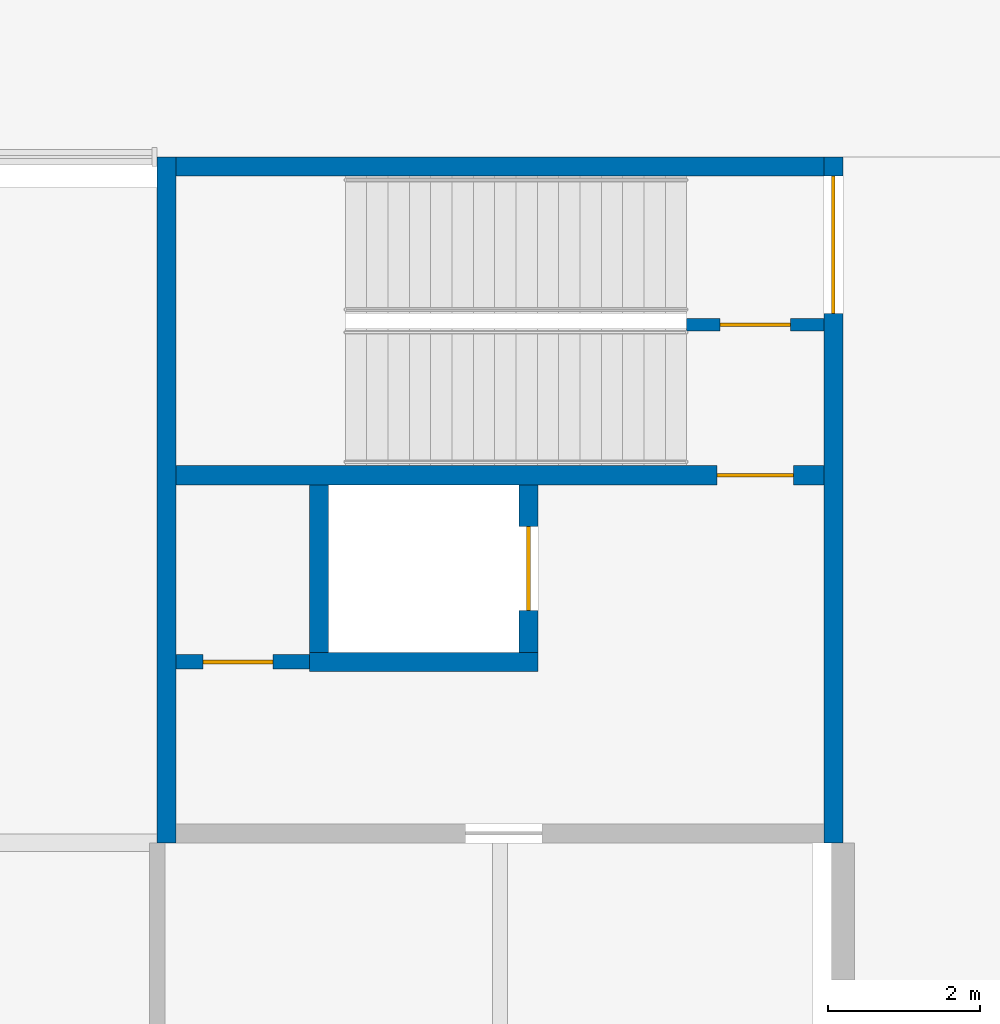
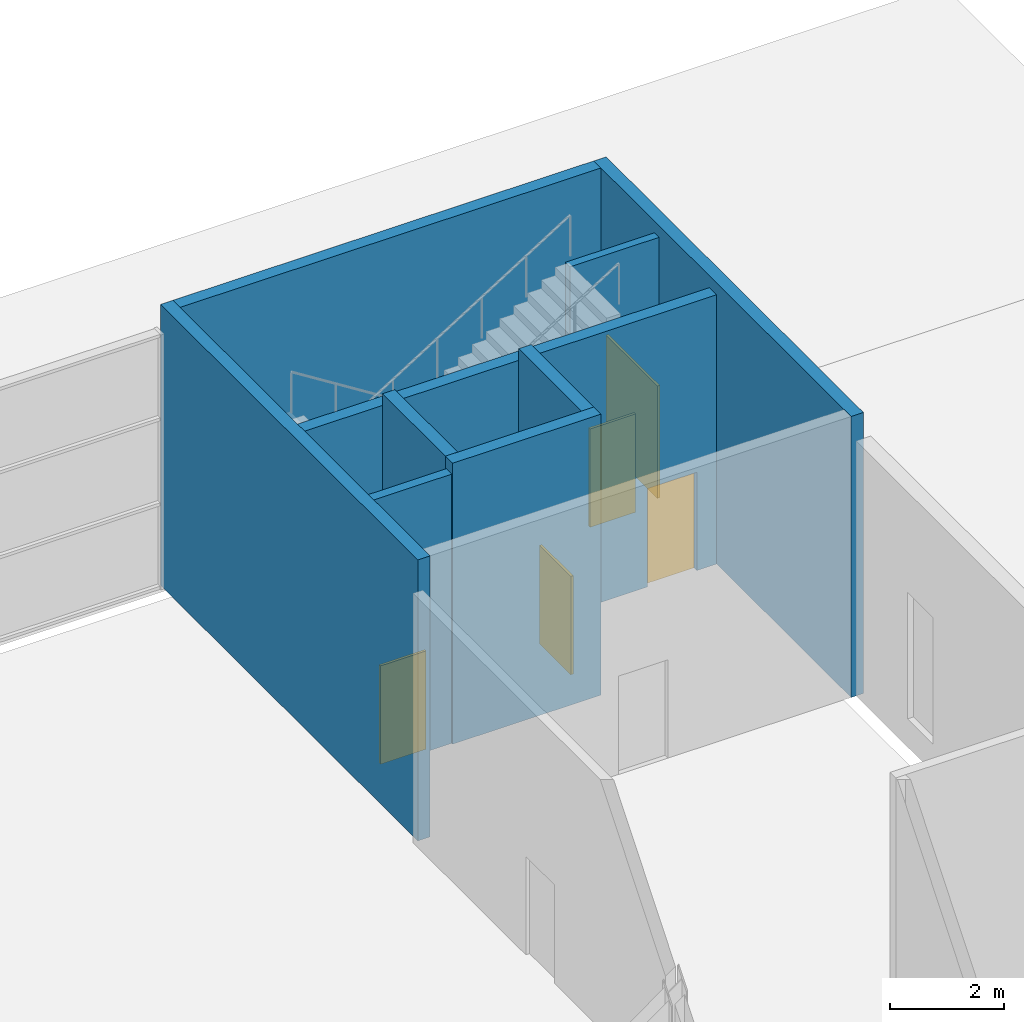
# One storey, part 80 of 97: 9 walls, 5 doors, 5 openings.
"""IFC4 building model written with IfcOpenShell, lengths in metres."""

import ifcopenshell
import ifcopenshell.guid

model = None  # the IFC model being written
_history = None  # IfcOwnerHistory: only IFC2X3 demands one
_inside = {}  # id of a spatial element -> (the spatial element, [elements in it])
_under = {}  # id of a project, library or spatial element -> (it, [spatial elements below it])
_declared = {}  # id of a project -> (the project, [libraries it declares])
_typed = {}  # id of a type object -> (the type object, [elements of that type])
_made_of = {}  # id of a material, layer set ... -> (it, [elements and type objects made of it])


def new_model(schema):
    """Start an empty IFC model of exactly this schema.

    Asked for "IFC4X3", IfcOpenShell would pick the latest addendum, in which some entities
    have other attributes; the version numbers below select the first issue.
    IFC2X3 requires an IfcOwnerHistory on every rooted entity: one is made here for all.
    """
    global model, _history
    if schema == "IFC4X3":
        model = ifcopenshell.file(schema_version=(4, 3, 0, 0))
    else:
        model = ifcopenshell.file(schema=schema)
    _inside.clear()
    _under.clear()
    _declared.clear()
    _typed.clear()
    _made_of.clear()
    _history = None
    if model.schema == "IFC2X3":
        org = make("IfcOrganization", Name="unknown")
        user = make(
            "IfcPersonAndOrganization",
            ThePerson=make("IfcPerson", FamilyName="unknown"),
            TheOrganization=org,
        )
        app = make(
            "IfcApplication",
            ApplicationDeveloper=org,
            Version="unknown",
            ApplicationFullName="unknown",
            ApplicationIdentifier="unknown",
        )
        _history = make(
            "IfcOwnerHistory",
            OwningUser=user,
            OwningApplication=app,
            ChangeAction="ADDED",
            CreationDate=0,
        )
    return model


def make(cls, **values):
    """One entity of the class cls with the attributes given. An attribute that is None is left unset."""
    return model.create_entity(
        cls, **{name: value for name, value in values.items() if value is not None}
    )


def rooted(cls, **values):
    """An entity with a GlobalId (a new one), such as an element, a storey or a relation."""
    return make(cls, GlobalId=ifcopenshell.guid.new(), OwnerHistory=_history, **values)


def si_unit(unit_type, name, prefix=None):
    """IfcSIUnit, for example si_unit("LENGTHUNIT", "METRE", prefix="MILLI")."""
    return make("IfcSIUnit", UnitType=unit_type, Prefix=prefix, Name=name)


def assignment(units):
    """IfcUnitAssignment: the units of a project."""
    return None if units is None else make("IfcUnitAssignment", Units=units)


def point(xyz):
    """IfcCartesianPoint."""
    return None if xyz is None else make("IfcCartesianPoint", Coordinates=xyz)


def direction(xyz):
    """IfcDirection."""
    return None if xyz is None else make("IfcDirection", DirectionRatios=xyz)


def frame(location, z_axis=None, x_axis=None):
    """IfcAxis2Placement3D, a coordinate frame: its origin and axes. An axis left out is left unset."""
    return make(
        "IfcAxis2Placement3D",
        Location=point(location),
        Axis=direction(z_axis),
        RefDirection=direction(x_axis),
    )


def frame_2d(location, x_axis=None):
    """IfcAxis2Placement2D, a coordinate frame in the plane: its origin and x axis."""
    return make(
        "IfcAxis2Placement2D", Location=point(location), RefDirection=direction(x_axis)
    )


def origin():
    """The frame at (0, 0, 0) with its axes left unset."""
    return frame((0.0, 0.0, 0.0))


def place(relative_to, where):
    """IfcLocalPlacement: puts the frame where relative to a parent placement (None: the world)."""
    return make(
        "IfcLocalPlacement", PlacementRelTo=relative_to, RelativePlacement=where
    )


def context(
    kind, dimensions, precision=None, world=None, true_north=None, identifier=None
):
    """IfcGeometricRepresentationContext, for example the 3D "Model" context."""
    return make(
        "IfcGeometricRepresentationContext",
        ContextIdentifier=identifier,
        ContextType=kind,
        CoordinateSpaceDimension=dimensions,
        Precision=precision,
        WorldCoordinateSystem=world,
        TrueNorth=true_north,
    )


def subcontext(parent, identifier, kind, view, scale=None):
    """IfcGeometricRepresentationSubContext, for example "Body" below "Model"."""
    return make(
        "IfcGeometricRepresentationSubContext",
        ContextIdentifier=identifier,
        ContextType=kind,
        ParentContext=parent,
        TargetScale=scale,
        TargetView=view,
    )


def project(units=None, contexts=None):
    """IfcProject with its units and contexts."""
    return rooted(
        "IfcProject",
        Name="project",
        RepresentationContexts=contexts,
        UnitsInContext=assignment(units),
    )


def spatial(cls, under=None, at=None, **own):
    """A site, building, storey or space (cls), placed at a placement, below another one or the project."""
    s = rooted(cls, ObjectPlacement=at, **own)
    if under is not None:
        _under.setdefault(under.id(), (under, []))[1].append(s)
    return s


def profile(cls, at=None, kind="AREA", **sizes):
    """A parametric profile (cls). Its sizes go by their IFC names, for example OverallWidth=200.0."""
    return make(cls, ProfileType=kind, Position=at, **sizes)


def rectangle(**sizes):
    """IfcRectangleProfileDef."""
    return profile("IfcRectangleProfileDef", **sizes)


def extrude(swept, where, along, depth):
    """IfcExtrudedAreaSolid: the profile swept, set in the frame where, extruded along a direction by depth."""
    return make(
        "IfcExtrudedAreaSolid",
        SweptArea=swept,
        Position=where,
        ExtrudedDirection=direction(along),
        Depth=depth,
    )


def shape(context_of_items, identifier, shape_type, items):
    """IfcShapeRepresentation: the items that make up one representation, for example the "Body"."""
    return make(
        "IfcShapeRepresentation",
        ContextOfItems=context_of_items,
        RepresentationIdentifier=identifier,
        RepresentationType=shape_type,
        Items=items,
    )


def material(Name=None, Category=None):
    """IfcMaterial."""
    return make("IfcMaterial", Name=Name, Category=Category)


def layer(
    of_material, thickness, ventilated=None, Name=None, Category=None, Priority=None
):
    """IfcMaterialLayer: one layer of a wall or slab, of a material (None: an air gap)."""
    return make(
        "IfcMaterialLayer",
        Material=of_material,
        LayerThickness=thickness,
        IsVentilated=ventilated,
        Name=Name,
        Category=Category,
        Priority=Priority,
    )


def layer_set(layers, Name=None):
    """IfcMaterialLayerSet."""
    return make("IfcMaterialLayerSet", MaterialLayers=layers, LayerSetName=Name)


def made_of(thing, what):
    """Note that an element or type object is made of a material, layer set ...; save() writes the relation."""
    if what is not None:
        _made_of.setdefault(what.id(), (what, []))[1].append(thing)
    return thing


def type_object(cls, material=None, **own):
    """A type object (cls), such as IfcWallType, which elements share."""
    return made_of(rooted(cls, **own), material)


def element(
    cls,
    number,
    at=None,
    inside=None,
    cuts=None,
    type_object=None,
    material=None,
    context=None,
    identifier="Body",
    shape_type=None,
    held_by="IfcProductDefinitionShape",
    body=None,
    shapes=None,
    **own,
):
    """One element of the class cls, such as IfcWall. Its Tag is "e" and its number.

    at: its placement. inside: the storey or other place that contains it. cuts: it is an
    opening in that element (IfcRelVoidsElement). A single representation is given by context,
    identifier, shape_type and body (its items); several are given by shapes. held_by: the class
    of the entity that holds the representations. save() writes the other relations.
    """
    e = rooted(cls, Tag="e%d" % number, ObjectPlacement=at, **own)
    if body is not None:
        shapes = [shape(context, identifier, shape_type, body)]
    if shapes is not None:
        e.Representation = make(held_by, Representations=shapes)
    if inside is not None:
        _inside.setdefault(inside.id(), (inside, []))[1].append(e)
    if cuts is not None:
        rooted(
            "IfcRelVoidsElement", RelatingBuildingElement=cuts, RelatedOpeningElement=e
        )
    if type_object is not None:
        _typed.setdefault(type_object.id(), (type_object, []))[1].append(e)
    return made_of(e, material)


def fill(opening, filler):
    """IfcRelFillsElement: the door or window that sits in an opening."""
    return rooted(
        "IfcRelFillsElement",
        RelatingOpeningElement=opening,
        RelatedBuildingElement=filler,
    )


def aggregate(whole, parts):
    """IfcRelAggregates: a whole, such as a stair, and the parts it consists of."""
    return rooted("IfcRelAggregates", RelatingObject=whole, RelatedObjects=parts)


def save(model, path):
    """Write the relations noted so far, then the file.

    IfcRelAggregates (storeys below a building ...), IfcRelContainedInSpatialStructure (elements
    in a storey), IfcRelDefinesByType, IfcRelAssociatesMaterial and IfcRelDeclares: one each for
    every whole, place, type object, material and project.
    """
    for whole, parts in _under.values():
        aggregate(whole, parts)
    for where, things in _inside.values():
        rooted(
            "IfcRelContainedInSpatialStructure",
            RelatedElements=things,
            RelatingStructure=where,
        )
    for kind, things in _typed.values():
        rooted("IfcRelDefinesByType", RelatedObjects=things, RelatingType=kind)
    for what, things in _made_of.values():
        rooted("IfcRelAssociatesMaterial", RelatedObjects=things, RelatingMaterial=what)
    for by, libraries in _declared.values():
        rooted("IfcRelDeclares", RelatingContext=by, RelatedDefinitions=libraries)
    model.write(path)


model = new_model("IFC4")

# Units and contexts
model_context = context("Model", 3, precision=1e-05, world=origin(), true_north=direction((0.0, 1.0)))
body_context = subcontext(model_context, "Body", "Model", "MODEL_VIEW")
ifc_project = project(units=[si_unit("LENGTHUNIT", "METRE"), si_unit("AREAUNIT", "SQUARE_METRE"), si_unit("VOLUMEUNIT", "CUBIC_METRE"), si_unit("PLANEANGLEUNIT", "RADIAN"), si_unit("MASSUNIT", "GRAM", prefix="KILO")], contexts=[model_context])

# Site, building, storey
site_placement = place(None, origin())
site = spatial("IfcSite", under=ifc_project, at=site_placement, CompositionType="ELEMENT")
building_placement = place(site_placement, origin())
building = spatial("IfcBuilding", under=site, at=building_placement, Name="Corbel Yard City Hall", CompositionType="ELEMENT")
storey_placement = place(building_placement, origin())
storey = spatial("IfcBuildingStorey", under=building, at=storey_placement, Name="L00", CompositionType="ELEMENT", Elevation=0.0)

# Wall
ifc_material_1 = material(Name="Concrete N50 (50 MPa)", Category="concrete")
ifc_layer_1 = layer(ifc_material_1, 0.25)
ifc_layer_set_1 = layer_set([ifc_layer_1], Name="Concrete N50 (50 MPa)")
wall_type_1 = type_object("IfcWallType", Name="Core cell wall 250", PredefinedType="SHEAR", material=ifc_layer_set_1)
wall_1_placement = place(storey_placement, frame((171.125, 108.0, 0.0), z_axis=(0.0, 0.0, 1.0), x_axis=(0.0, 1.0, 0.0)))
element("IfcWall", 1, at=wall_1_placement, inside=storey, type_object=wall_type_1, Name="Core PC-N4 west wall", PredefinedType="SHEAR", context=body_context, shape_type="SweptSolid", body=[
    extrude(rectangle(XDim=9.0, YDim=0.25, at=frame_2d((4.5, 0.0))), origin(), (0.0, 0.0, 1.0), 6.0),
])

# Wall, opening, door
wall_2_placement = place(storey_placement, frame((179.875, 108.0, 0.0), z_axis=(0.0, 0.0, 1.0), x_axis=(0.0, 1.0, 0.0)))
wall_2 = element("IfcWall", 2, at=wall_2_placement, inside=storey, type_object=wall_type_1, Name="Core PC-N4 east wall", PredefinedType="SHEAR", context=body_context, shape_type="SweptSolid", body=[
    extrude(rectangle(XDim=9.0, YDim=0.25, at=frame_2d((4.5, 0.0))), origin(), (0.0, 0.0, 1.0), 6.0),
])
opening_1_placement = place(wall_2_placement, frame((6.949951171875, 0.0, 0.0)))
opening_1 = element("IfcOpeningElement", 3, at=opening_1_placement, cuts=wall_2, Name="Opening L00-048", PredefinedType="OPENING", context=body_context, shape_type="SweptSolid", body=[
    extrude(rectangle(XDim=1.800048828125, YDim=2.39990234375, at=frame_2d((0.89990234375, 1.199951171875))), frame((0.0, 0.135009765625, 0.0), z_axis=(0.0, -1.0, 0.0), x_axis=(1.0, 0.0, 0.0)), (0.0, 0.0, 1.0), 0.27001953125),
])
ifc_material_2 = material(Name="Steel Grade G250, insulated infill", Category="steel")
door_type_1 = type_object("IfcDoorType", Name="XD2", OperationType="DOUBLE_DOOR_SINGLE_SWING", PredefinedType="DOOR", material=ifc_material_2)
door_1_placement = place(opening_1_placement, frame((1.800048828125, 0.0, 0.0), z_axis=(0.0, 0.0, 1.0), x_axis=(-1.0, 0.0, 0.0)))
door_1 = element("IfcDoor", 4, at=door_1_placement, inside=storey, type_object=door_type_1, Name="Stair exit door PC-N4", OperationType="DOUBLE_DOOR_SINGLE_SWING", OverallHeight=2.39990234375, OverallWidth=1.800048828125, PredefinedType="DOOR", context=body_context, shape_type="SweptSolid", body=[
    extrude(rectangle(XDim=1.800048828125, YDim=2.39990234375, at=frame_2d((0.89990234375, 1.199951171875))), frame((0.0, 0.02490234375, 0.0), z_axis=(0.0, -1.0, 0.0), x_axis=(1.0, 0.0, 0.0)), (0.0, 0.0, 1.0), 0.050048828125),
])
fill(opening_1, door_1)

# Wall
wall_3_placement = place(storey_placement, frame((171.25, 116.875, 0.0), z_axis=(0.0, 0.0, 1.0), x_axis=(1.0, 0.0, 0.0)))
element("IfcWall", 5, at=wall_3_placement, inside=storey, type_object=wall_type_1, Name="Core PC-N4 north wall", PredefinedType="SHEAR", context=body_context, shape_type="SweptSolid", body=[
    extrude(rectangle(XDim=8.5, YDim=0.25, at=frame_2d((4.25, 0.0))), origin(), (0.0, 0.0, 1.0), 6.0),
])

# Wall, opening, door
ifc_material_3 = material(Name="Concrete N40 (40 MPa)", Category="concrete")
ifc_layer_2 = layer(ifc_material_3, 0.25)
ifc_layer_set_2 = layer_set([ifc_layer_2], Name="Concrete N40 (40 MPa)")
wall_type_2 = type_object("IfcWallType", Name="IW2", PredefinedType="SOLIDWALL", material=ifc_layer_set_2)
wall_4_placement = place(storey_placement, frame((179.75, 112.824951171875, 0.0), z_axis=(0.0, 0.0, 1.0), x_axis=(-1.0, 0.0, 0.0)))
wall_4 = element("IfcWall", 6, at=wall_4_placement, inside=storey, type_object=wall_type_2, Name="Stair enclosure wall", PredefinedType="SOLIDWALL", context=body_context, shape_type="SweptSolid", body=[
    extrude(rectangle(XDim=8.5, YDim=0.25, at=frame_2d((4.25, 0.0))), origin(), (0.0, 0.0, 1.0), 5.75),
])
opening_2_placement = place(wall_4_placement, frame((0.39990234375, 0.0, 0.0)))
opening_2 = element("IfcOpeningElement", 7, at=opening_2_placement, cuts=wall_4, Name="Opening L00-201", PredefinedType="OPENING", context=body_context, shape_type="SweptSolid", body=[
    extrude(rectangle(XDim=1.0, YDim=2.10009765625, at=frame_2d((0.5, 1.050048828125))), frame((0.0, 0.135009765625, 0.0), z_axis=(0.0, -1.0, 0.0), x_axis=(1.0, 0.0, 0.0)), (0.0, 0.0, 1.0), 0.27001953125),
])
ifc_material_4 = material(Name="Steel Grade G250", Category="steel")
door_type_2 = type_object("IfcDoorType", Name="FS1", OperationType="SINGLE_SWING_LEFT", PredefinedType="DOOR", material=ifc_material_4)
door_2_placement = place(opening_2_placement, frame((1.0, 0.0, 0.0), z_axis=(0.0, 0.0, 1.0), x_axis=(-1.0, 0.0, 0.0)))
door_2 = element("IfcDoor", 8, at=door_2_placement, inside=storey, type_object=door_type_2, Name="Door Exit Stair 19", OperationType="SINGLE_SWING_RIGHT", OverallHeight=2.10009765625, OverallWidth=1.0, PredefinedType="DOOR", context=body_context, shape_type="SweptSolid", body=[
    extrude(rectangle(XDim=1.0, YDim=2.10009765625, at=frame_2d((0.5, 1.050048828125))), frame((0.0, 0.02490234375, 0.0), z_axis=(0.0, -1.0, 0.0), x_axis=(1.0, 0.0, 0.0)), (0.0, 0.0, 1.0), 0.050048828125),
])
fill(opening_2, door_2)

# Walls
wall_5_placement = place(storey_placement, frame((173.0, 110.375, 0.0), z_axis=(0.0, 0.0, 1.0), x_axis=(1.0, 0.0, 0.0)))
element("IfcWall", 9, at=wall_5_placement, inside=storey, type_object=wall_type_2, Name="Lift LP19 shaft wall", PredefinedType="SOLIDWALL", context=body_context, shape_type="SweptSolid", body=[
    extrude(rectangle(XDim=3.0, YDim=0.25, at=frame_2d((1.5, 0.0))), origin(), (0.0, 0.0, 1.0), 6.0),
])
wall_6_placement = place(storey_placement, frame((173.125, 110.5, 0.0), z_axis=(0.0, 0.0, 1.0), x_axis=(0.0, 1.0, 0.0)))
element("IfcWall", 10, at=wall_6_placement, inside=storey, type_object=wall_type_2, Name="Lift LP19 shaft wall", PredefinedType="SOLIDWALL", context=body_context, shape_type="SweptSolid", body=[
    extrude(rectangle(XDim=2.199951171875, YDim=0.25, at=frame_2d((1.10009765625, 0.0))), origin(), (0.0, 0.0, 1.0), 6.0),
])

# Wall, opening, door
wall_7_placement = place(storey_placement, frame((175.875, 110.5, 0.0), z_axis=(0.0, 0.0, 1.0), x_axis=(0.0, 1.0, 0.0)))
wall_7 = element("IfcWall", 11, at=wall_7_placement, inside=storey, type_object=wall_type_2, Name="Lift LP19 shaft wall", PredefinedType="SOLIDWALL", context=body_context, shape_type="SweptSolid", body=[
    extrude(rectangle(XDim=2.199951171875, YDim=0.25, at=frame_2d((1.10009765625, 0.0))), origin(), (0.0, 0.0, 1.0), 6.0),
])
opening_3_placement = place(wall_7_placement, frame((0.550048828125, 0.0, 0.0)))
opening_3 = element("IfcOpeningElement", 12, at=opening_3_placement, cuts=wall_7, Name="Opening L00-189", PredefinedType="OPENING", context=body_context, shape_type="SweptSolid", body=[
    extrude(rectangle(XDim=1.10009765625, YDim=2.10009765625, at=frame_2d((0.550048828125, 1.050048828125))), frame((0.0, 0.135009765625, 0.0), z_axis=(0.0, -1.0, 0.0), x_axis=(1.0, 0.0, 0.0)), (0.0, 0.0, 1.0), 0.27001953125),
])
ifc_material_5 = material(Name="Stainless steel Grade 316", Category="steel")
door_type_3 = type_object("IfcDoorType", Name="LD1", OperationType="DOUBLE_DOOR_SLIDING", PredefinedType="DOOR", material=ifc_material_5)
door_3_placement = place(opening_3_placement, origin())
door_3 = element("IfcDoor", 13, at=door_3_placement, inside=storey, type_object=door_type_3, Name="Lift LP19 landing door", OperationType="DOUBLE_DOOR_SLIDING", OverallHeight=2.10009765625, OverallWidth=1.10009765625, PredefinedType="DOOR", context=body_context, shape_type="SweptSolid", body=[
    extrude(rectangle(XDim=1.10009765625, YDim=2.10009765625, at=frame_2d((0.550048828125, 1.050048828125))), frame((0.0, 0.02490234375, 0.0), z_axis=(0.0, -1.0, 0.0), x_axis=(1.0, 0.0, 0.0)), (0.0, 0.0, 1.0), 0.050048828125),
])
fill(opening_3, door_3)

ifc_material_6 = material(Name="Gypsum plasterboard", Category="gypsum")
ifc_layer_3 = layer(ifc_material_6, 0.031982421875)
ifc_material_7 = material(Name="Steel Grade G550 (550 MPa yield)", Category="steel")
ifc_layer_4 = layer(ifc_material_7, 0.095947265625)
ifc_layer_5 = layer(ifc_material_6, 0.031982421875)
ifc_layer_set_3 = layer_set([ifc_layer_3, ifc_layer_4, ifc_layer_5], Name="Steel Grade G550 (550 MPa yield)")
wall_type_3 = type_object("IfcWallType", Name="PT3", PredefinedType="PARTITIONING", material=ifc_layer_set_3)
wall_8_placement = place(storey_placement, frame((179.75, 114.800048828125, 0.0), z_axis=(0.0, 0.0, 1.0), x_axis=(-1.0, 0.0, 0.0)))
wall_8 = element("IfcWall", 14, at=wall_8_placement, inside=storey, type_object=wall_type_3, Name="Stair screen wall", PredefinedType="PARTITIONING", context=body_context, shape_type="SweptSolid", body=[
    extrude(rectangle(XDim=1.800048828125, YDim=0.159912109375, at=frame_2d((0.89990234375, 0.0))), origin(), (0.0, 0.0, 1.0), 5.75),
])
opening_4_placement = place(wall_8_placement, frame((0.43994140625, 0.0, 0.0)))
opening_4 = element("IfcOpeningElement", 15, at=opening_4_placement, cuts=wall_8, Name="Opening L00-203", PredefinedType="OPENING", context=body_context, shape_type="SweptSolid", body=[
    extrude(rectangle(XDim=0.919921875, YDim=2.10009765625, at=frame_2d((0.4599609375, 1.050048828125))), frame((0.0, 0.08984375, 0.0), z_axis=(0.0, -1.0, 0.0), x_axis=(1.0, 0.0, 0.0)), (0.0, 0.0, 1.0), 0.179931640625),
])
door_type_4 = type_object("IfcDoorType", Name="FD5", OperationType="SINGLE_SWING_RIGHT", PredefinedType="DOOR", material=ifc_material_4)
door_4_placement = place(opening_4_placement, origin())
door_4 = element("IfcDoor", 16, at=door_4_placement, inside=storey, type_object=door_type_4, Name="Door stair screen", OperationType="SINGLE_SWING_LEFT", OverallHeight=2.10009765625, OverallWidth=0.919921875, PredefinedType="DOOR", context=body_context, shape_type="SweptSolid", body=[
    extrude(rectangle(XDim=0.919921875, YDim=2.10009765625, at=frame_2d((0.4599609375, 1.050048828125))), frame((0.0, 0.02490234375, 0.0), z_axis=(0.0, -1.0, 0.0), x_axis=(1.0, 0.0, 0.0)), (0.0, 0.0, 1.0), 0.050048828125),
])
fill(opening_4, door_4)

ifc_material_8 = material(Name="Concrete block", Category="concrete")
ifc_layer_6 = layer(ifc_material_8, 0.18994140625)
ifc_layer_set_4 = layer_set([ifc_layer_6], Name="Concrete block")
wall_type_4 = type_object("IfcWallType", Name="PT4", PredefinedType="PARTITIONING", material=ifc_layer_set_4)
wall_9_placement = place(storey_placement, frame((171.25, 110.375, 0.0), z_axis=(0.0, 0.0, 1.0), x_axis=(1.0, 0.0, 0.0)))
wall_9 = element("IfcWall", 17, at=wall_9_placement, inside=storey, type_object=wall_type_4, Name="Fire-resisting block wall", PredefinedType="PARTITIONING", context=body_context, shape_type="SweptSolid", body=[
    extrude(rectangle(XDim=1.75, YDim=0.18994140625, at=frame_2d((0.875, 0.0))), origin(), (0.0, 0.0, 1.0), 5.75),
])
opening_5_placement = place(wall_9_placement, frame((0.3525390625, 0.0, 0.0)))
opening_5 = element("IfcOpeningElement", 18, at=opening_5_placement, cuts=wall_9, Name="Opening L00-202", PredefinedType="OPENING", context=body_context, shape_type="SweptSolid", body=[
    extrude(rectangle(XDim=0.919921875, YDim=2.10009765625, at=frame_2d((0.4599609375, 1.050048828125))), frame((0.0, 0.10498046875, 0.0), z_axis=(0.0, -1.0, 0.0), x_axis=(1.0, 0.0, 0.0)), (0.0, 0.0, 1.0), 0.2099609375),
])
door_type_5 = type_object("IfcDoorType", Name="FS5", OperationType="SINGLE_SWING_RIGHT", PredefinedType="DOOR", material=ifc_material_4)
door_5_placement = place(opening_5_placement, origin())
door_5 = element("IfcDoor", 19, at=door_5_placement, inside=storey, type_object=door_type_5, Name="Door Service Riser", OperationType="SINGLE_SWING_LEFT", OverallHeight=2.10009765625, OverallWidth=0.919921875, PredefinedType="DOOR", context=body_context, shape_type="SweptSolid", body=[
    extrude(rectangle(XDim=0.919921875, YDim=2.10009765625, at=frame_2d((0.4599609375, 1.050048828125))), frame((0.0, 0.02490234375, 0.0), z_axis=(0.0, -1.0, 0.0), x_axis=(1.0, 0.0, 0.0)), (0.0, 0.0, 1.0), 0.050048828125),
])
fill(opening_5, door_5)

save(model, "model.ifc")
